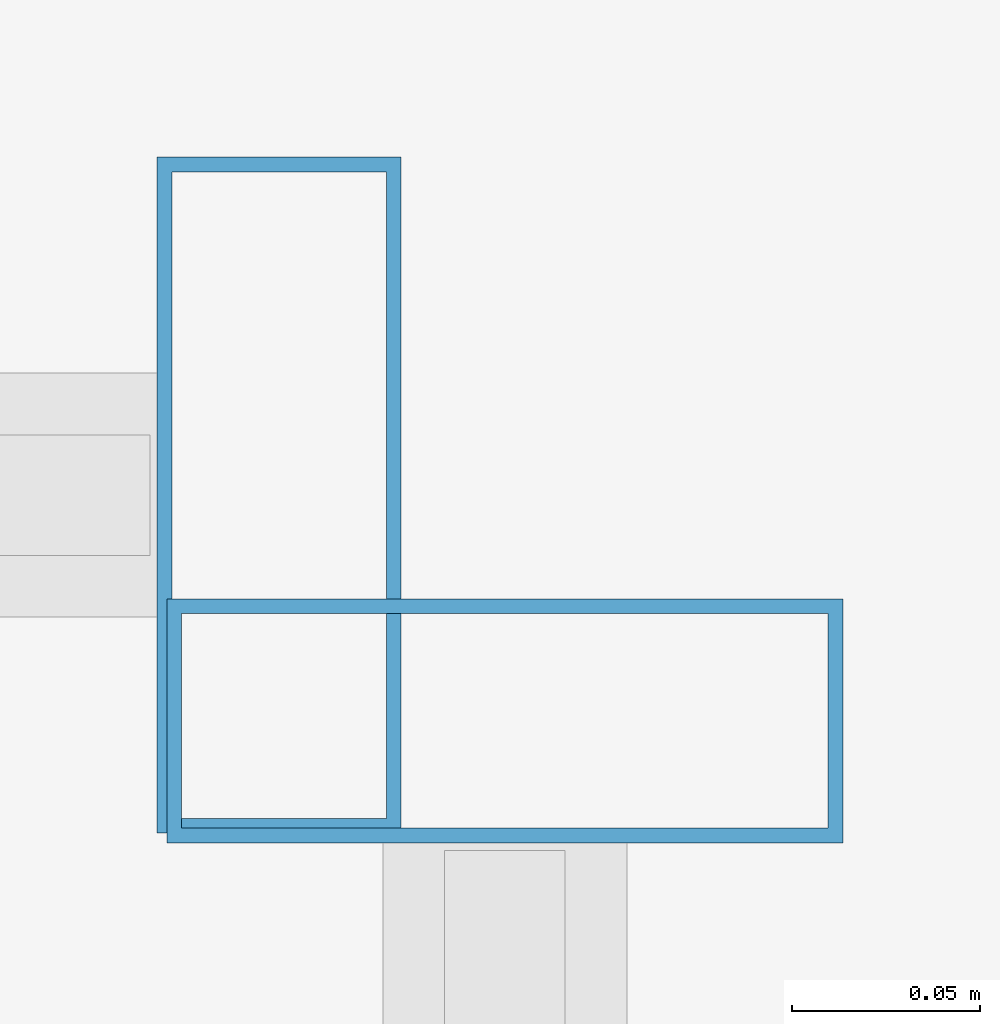
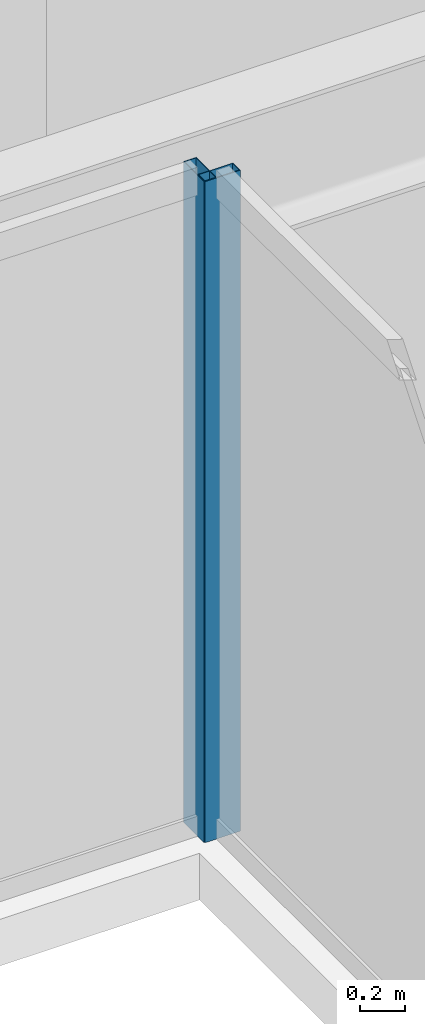
# One storey, part 8 of 31: 2 members, 2 elements without a shape of their own.
"""IFC4 building model written with IfcOpenShell, lengths in metres."""

from ifc_helpers import new_model, si_unit, direction, frame, origin, origin_2d, place, context, subcontext, project, spatial, hollow_rectangle, extrude, material, material_profile, profile_set, type_object, element, aggregate, save


model = new_model("IFC4")

# Units and contexts
model_context = context("Model", 3, precision=1e-05, world=origin(), true_north=direction((0.0, 1.0)))
body_context = subcontext(model_context, "Body", "Model", "MODEL_VIEW")
ifc_project = project(units=[si_unit("LENGTHUNIT", "METRE"), si_unit("AREAUNIT", "SQUARE_METRE"), si_unit("VOLUMEUNIT", "CUBIC_METRE"), si_unit("PLANEANGLEUNIT", "RADIAN"), si_unit("MASSUNIT", "GRAM", prefix="KILO")], contexts=[model_context])

# Site, building, storey
site_placement = place(None, origin())
site = spatial("IfcSite", under=ifc_project, at=site_placement, CompositionType="ELEMENT")
building_placement = place(site_placement, origin())
building = spatial("IfcBuilding", under=site, at=building_placement, Name="Saevonmaru Cultural Tower", CompositionType="ELEMENT")
storey_placement = place(building_placement, frame((0.0, 0.0, 167.60009765625)))
storey = spatial("IfcBuildingStorey", under=building, at=storey_placement, Name="L37", CompositionType="ELEMENT", Elevation=167.60009765625)

# Curtain wall, member
ifc_material = material(Name="Satin Bronze Anodised Aluminium", Category="aluminium")
curtain_wall_type = type_object("IfcCurtainWallType", Name="CW-ATR-GLZ", PredefinedType="NOTDEFINED", material=ifc_material)
curtain_wall_1_placement = place(storey_placement, origin())
curtain_wall_1 = element("IfcCurtainWall", 1, at=curtain_wall_1_placement, inside=storey, type_object=curtain_wall_type, Name="L37 Vertical Atrium Glazed Smoke Screen 2", PredefinedType="NOTDEFINED")
ifc_material_profile = material_profile(ifc_material, hollow_rectangle(XDim=0.06494140625, YDim=0.179931640625, WallThickness=0.00390625, at=origin_2d()), Name="ALU-MULL-180x65x4")
ifc_profile_set = profile_set([ifc_material_profile], Name="Satin Bronze Anodised Aluminium")
member_type = type_object("IfcMemberType", Name="ML-CW-INT-180x65", PredefinedType="MULLION", material=ifc_profile_set)
member_1_placement = place(storey_placement, frame((35.949951171875, 37.010009765625, 0.0), z_axis=(0.0, 0.0, 1.0), x_axis=(0.0, 1.0, 0.0)))
member_1 = element("IfcMember", 2, at=member_1_placement, type_object=member_type, Name="CW-ATR-L37-2 mullion 2", PredefinedType="MULLION", context=body_context, shape_type="SweptSolid", body=[
    extrude(hollow_rectangle(XDim=0.06494140625, YDim=0.179931640625, WallThickness=0.00390625, at=origin_2d()), origin(), (0.0, 0.0, 1.0), 3.5498046875),
])
aggregate(curtain_wall_1, [member_1])

curtain_wall_2_placement = place(storey_placement, origin())
curtain_wall_2 = element("IfcCurtainWall", 3, at=curtain_wall_2_placement, inside=storey, type_object=curtain_wall_type, Name="L37 Vertical Atrium Glazed Smoke Screen 3", PredefinedType="NOTDEFINED")
member_2_placement = place(storey_placement, frame((35.889892578125, 37.070068359375, 0.0), z_axis=(0.0, 0.0, 1.0), x_axis=(-1.0, 0.0, 0.0)))
member_2 = element("IfcMember", 4, at=member_2_placement, type_object=member_type, Name="CW-ATR-L37-3 mullion 1", PredefinedType="MULLION", context=body_context, shape_type="SweptSolid", body=[
    extrude(hollow_rectangle(XDim=0.06494140625, YDim=0.179931640625, WallThickness=0.00390625, at=origin_2d()), origin(), (0.0, 0.0, 1.0), 3.5498046875),
])
aggregate(curtain_wall_2, [member_2])

save(model, "model.ifc")
